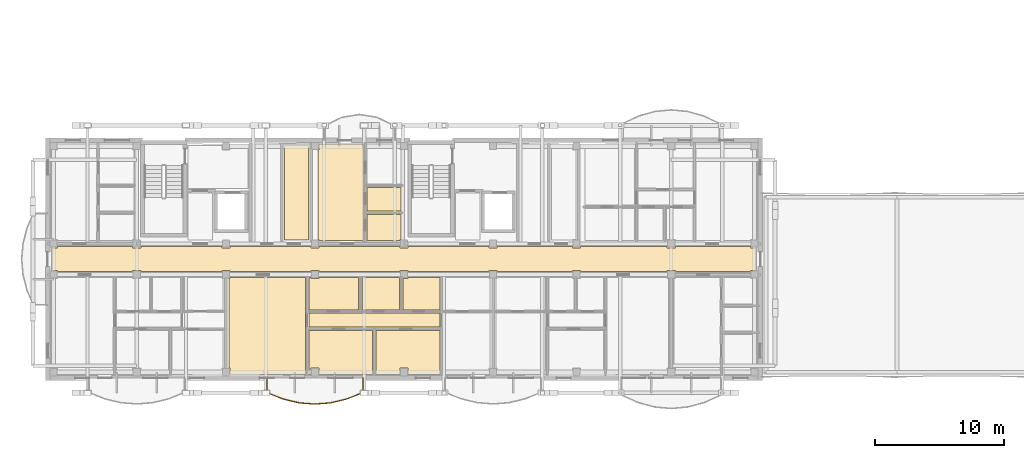
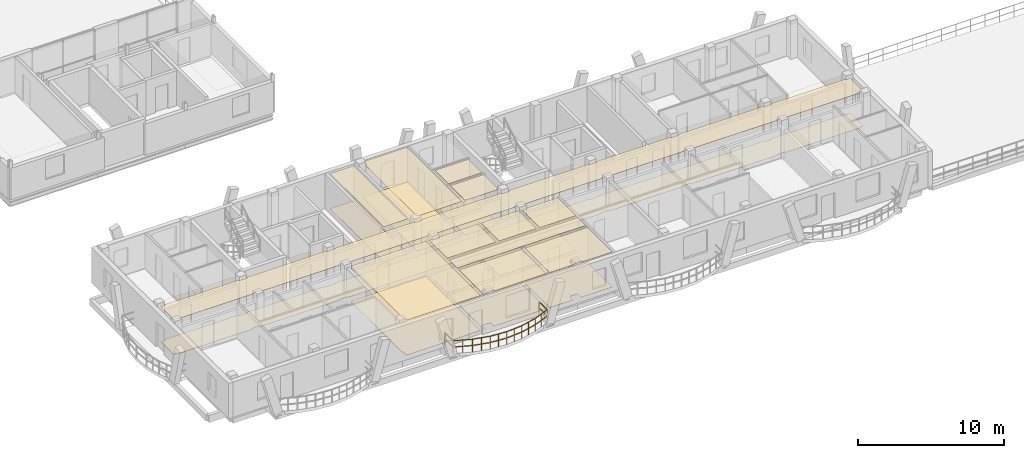
# One storey, part 88 of 109: 24 coverings, 1 railing.
"""IFC4 building model written with IfcOpenShell, lengths in metres."""

from ifc_helpers import new_model, si_unit, direction, frame, origin, origin_2d, place, context, subcontext, project, spatial, polyline, rectangle, outline, extrude, material, layer, layer_set, type_object, element, save


model = new_model("IFC4")

# Units and contexts
model_context = context("Model", 3, precision=1e-05, world=origin(), true_north=direction((0.0, 1.0)))
body_context = subcontext(model_context, "Body", "Model", "MODEL_VIEW")
ifc_project = project(units=[si_unit("LENGTHUNIT", "METRE"), si_unit("AREAUNIT", "SQUARE_METRE"), si_unit("VOLUMEUNIT", "CUBIC_METRE"), si_unit("PLANEANGLEUNIT", "RADIAN"), si_unit("MASSUNIT", "GRAM", prefix="KILO")], contexts=[model_context])

# Site, building, storey
site_placement = place(None, origin())
site = spatial("IfcSite", under=ifc_project, at=site_placement, CompositionType="ELEMENT")
building_placement = place(site_placement, origin())
building = spatial("IfcBuilding", under=site, at=building_placement, Name="Zavelmont Quarter", CompositionType="ELEMENT")
storey_placement = place(building_placement, frame((0.0, 0.0, 8.0)))
storey = spatial("IfcBuildingStorey", under=building, at=storey_placement, Name="L02", CompositionType="ELEMENT", Elevation=8.0)

# Coverings
ifc_material_1 = material(Name="Perforated acoustic gypsum board")
ifc_layer_1 = layer(ifc_material_1, 0.02490234375)
ifc_layer_set_1 = layer_set([ifc_layer_1], Name="Perforated acoustic gypsum board")
covering_type_1 = type_object("IfcCoveringType", Name="CV-CL01", PredefinedType="CEILING", material=ifc_layer_set_1)
covering_1_placement = place(storey_placement, frame((0.0, 0.0, 2.9150390625)))
element("IfcCovering", 1, at=covering_1_placement, inside=storey, type_object=covering_type_1, Name="L02 Cleaners Store acoustic ceiling", PredefinedType="CEILING", context=body_context, shape_type="SweptSolid", body=[
    extrude(outline(polyline([(18.330078125, 18.02001953125), (20.219970703125, 18.02001953125), (20.219970703125, 10.679931640625), (18.330078125, 10.679931640625), (18.330078125, 18.02001953125)])), origin(), (0.0, 0.0, 1.0), 0.02490234375),
])
covering_2_placement = place(storey_placement, frame((0.0, 0.0, 2.9150390625)))
element("IfcCovering", 2, at=covering_2_placement, inside=storey, type_object=covering_type_1, Name="L02 Residential Corridor acoustic ceiling", PredefinedType="CEILING", context=body_context, shape_type="SweptSolid", body=[
    extrude(outline(polyline([(0.3798828125, 10.0849609375), (0.7548828125, 10.0849609375), (0.7548828125, 10.169921875), (6.5849609375, 10.169921875), (6.5849609375, 10.0849609375), (7.215087890625, 10.0849609375), (7.215087890625, 10.169921875), (13.485107421875, 10.169921875), (13.485107421875, 10.0849609375), (14.114990234375, 10.0849609375), (14.114990234375, 10.169921875), (20.385009765625, 10.169921875), (20.385009765625, 10.0849609375), (21.014892578125, 10.0849609375), (21.014892578125, 10.169921875), (27.284912109375, 10.169921875), (27.284912109375, 10.0849609375), (27.9150390625, 10.0849609375), (27.9150390625, 10.169921875), (34.18505859375, 10.169921875), (34.18505859375, 10.0849609375), (34.81494140625, 10.0849609375), (34.81494140625, 10.169921875), (40.64501953125, 10.169921875), (40.64501953125, 10.0849609375), (41.27490234375, 10.0849609375), (41.27490234375, 10.169921875), (47.985107421875, 10.169921875), (47.985107421875, 10.0849609375), (48.614990234375, 10.0849609375), (48.614990234375, 10.169921875), (54.445068359375, 10.169921875), (54.445068359375, 10.0849609375), (54.820068359375, 10.0849609375), (54.820068359375, 8.31494140625), (54.445068359375, 8.31494140625), (54.445068359375, 8.22998046875), (48.614990234375, 8.22998046875), (48.614990234375, 8.31494140625), (47.985107421875, 8.31494140625), (47.985107421875, 8.22998046875), (41.27490234375, 8.22998046875), (41.27490234375, 8.31494140625), (40.64501953125, 8.31494140625), (40.64501953125, 8.22998046875), (34.81494140625, 8.22998046875), (34.81494140625, 8.31494140625), (34.18505859375, 8.31494140625), (34.18505859375, 8.22998046875), (27.9150390625, 8.22998046875), (27.9150390625, 8.31494140625), (27.284912109375, 8.31494140625), (27.284912109375, 8.22998046875), (21.014892578125, 8.22998046875), (21.014892578125, 8.31494140625), (20.385009765625, 8.31494140625), (20.385009765625, 8.22998046875), (14.114990234375, 8.22998046875), (14.114990234375, 8.31494140625), (13.485107421875, 8.31494140625), (13.485107421875, 8.22998046875), (7.215087890625, 8.22998046875), (7.215087890625, 8.31494140625), (6.5849609375, 8.31494140625), (6.5849609375, 8.22998046875), (0.7548828125, 8.22998046875), (0.7548828125, 8.31494140625), (0.3798828125, 8.31494140625), (0.3798828125, 10.0849609375)])), origin(), (0.0, 0.0, 1.0), 0.02490234375),
])
covering_3_placement = place(storey_placement, frame((0.0, 0.0, 2.9150390625)))
element("IfcCovering", 3, at=covering_3_placement, inside=storey, type_object=covering_type_1, Name="L02 Living Dining acoustic ceiling", PredefinedType="CEILING", context=body_context, shape_type="SweptSolid", body=[
    extrude(outline(polyline([(14.030029296875, 7.68505859375), (14.114990234375, 7.68505859375), (14.114990234375, 7.77001953125), (19.969970703125, 7.77001953125), (19.969970703125, 0.280029296875), (14.114990234375, 0.280029296875), (14.114990234375, 0.7548828125), (14.030029296875, 0.7548828125), (14.030029296875, 7.68505859375)])), origin(), (0.0, 0.0, 1.0), 0.02490234375),
])
covering_4_placement = place(storey_placement, frame((0.0, 0.0, 2.9150390625)))
element("IfcCovering", 4, at=covering_4_placement, inside=storey, type_object=covering_type_1, Name="L02 Kitchen acoustic ceiling", PredefinedType="CEILING", context=body_context, shape_type="SweptSolid", body=[
    extrude(outline(polyline([(20.22998046875, 7.77001953125), (20.385009765625, 7.77001953125), (20.385009765625, 7.68505859375), (21.014892578125, 7.68505859375), (21.014892578125, 7.77001953125), (24.070068359375, 7.77001953125), (24.070068359375, 5.280029296875), (20.22998046875, 5.280029296875), (20.22998046875, 7.77001953125)])), origin(), (0.0, 0.0, 1.0), 0.02490234375),
])
covering_5_placement = place(storey_placement, frame((0.0, 0.0, 2.9150390625)))
element("IfcCovering", 5, at=covering_5_placement, inside=storey, type_object=covering_type_1, Name="L02 Utility Laundry acoustic ceiling", PredefinedType="CEILING", context=body_context, shape_type="SweptSolid", body=[
    extrude(outline(polyline([(27.530029296875, 7.68505859375), (27.9150390625, 7.68505859375), (27.9150390625, 7.77001953125), (30.3701171875, 7.77001953125), (30.3701171875, 5.280029296875), (27.530029296875, 5.280029296875), (27.530029296875, 7.68505859375)])), origin(), (0.0, 0.0, 1.0), 0.02490234375),
])
covering_6_placement = place(storey_placement, frame((0.0, 0.0, 2.9150390625)))
element("IfcCovering", 6, at=covering_6_placement, inside=storey, type_object=covering_type_1, Name="L02 Single Bedroom acoustic ceiling", PredefinedType="CEILING", context=body_context, shape_type="SweptSolid", body=[
    extrude(outline(polyline([(20.22998046875, 3.669921875), (25.169921875, 3.669921875), (25.169921875, 0.280029296875), (21.014892578125, 0.280029296875), (21.014892578125, 0.7548828125), (20.385009765625, 0.7548828125), (20.385009765625, 0.280029296875), (20.22998046875, 0.280029296875), (20.22998046875, 3.669921875)])), origin(), (0.0, 0.0, 1.0), 0.02490234375),
])
covering_7_placement = place(storey_placement, frame((0.0, 0.0, 2.9150390625)))
element("IfcCovering", 7, at=covering_7_placement, inside=storey, type_object=covering_type_1, Name="L02 Double Bedroom acoustic ceiling", PredefinedType="CEILING", context=body_context, shape_type="SweptSolid", body=[
    extrude(outline(polyline([(25.429931640625, 3.669921875), (30.3701171875, 3.669921875), (30.3701171875, 0.280029296875), (27.9150390625, 0.280029296875), (27.9150390625, 0.7548828125), (27.284912109375, 0.7548828125), (27.284912109375, 0.280029296875), (25.429931640625, 0.280029296875), (25.429931640625, 3.669921875)])), origin(), (0.0, 0.0, 1.0), 0.02490234375),
])
covering_8_placement = place(storey_placement, frame((0.0, 0.0, 2.9150390625)))
element("IfcCovering", 8, at=covering_8_placement, inside=storey, type_object=covering_type_1, Name="L02 Living Dining acoustic ceiling", PredefinedType="CEILING", context=body_context, shape_type="SweptSolid", body=[
    extrude(outline(polyline([(20.929931640625, 17.64501953125), (21.014892578125, 17.64501953125), (21.014892578125, 18.1201171875), (24.469970703125, 18.1201171875), (24.469970703125, 10.6298828125), (21.014892578125, 10.6298828125), (21.014892578125, 10.715087890625), (20.929931640625, 10.715087890625), (20.929931640625, 17.64501953125)])), origin(), (0.0, 0.0, 1.0), 0.02490234375),
])
covering_9_placement = place(storey_placement, frame((0.0, 0.0, 2.9150390625)))
element("IfcCovering", 9, at=covering_9_placement, inside=storey, type_object=covering_type_1, Name="L02 Kitchen acoustic ceiling", PredefinedType="CEILING", context=body_context, shape_type="SweptSolid", body=[
    extrude(outline(polyline([(24.72998046875, 12.669921875), (27.3701171875, 12.669921875), (27.3701171875, 10.715087890625), (27.284912109375, 10.715087890625), (27.284912109375, 10.6298828125), (24.72998046875, 10.6298828125), (24.72998046875, 12.669921875)])), origin(), (0.0, 0.0, 1.0), 0.02490234375),
])
ifc_material_2 = material(Name="Slatted European ash acoustic baffle ceiling")
ifc_layer_2 = layer(ifc_material_2, 0.0400390625)
ifc_layer_set_2 = layer_set([ifc_layer_2], Name="Slatted European ash acoustic baffle ceiling")
covering_type_2 = type_object("IfcCoveringType", Name="CV-CL02", PredefinedType="CEILING", material=ifc_layer_set_2)
covering_10_placement = place(storey_placement, frame((0.0, 0.0, 2.89990234375)))
element("IfcCovering", 10, at=covering_10_placement, inside=storey, type_object=covering_type_2, Name="L02 Apartment Hall acoustic ceiling", PredefinedType="CEILING", context=body_context, shape_type="SweptSolid", body=[
    extrude(outline(polyline([(20.22998046875, 5.02001953125), (30.3701171875, 5.02001953125), (30.3701171875, 3.929931640625), (20.22998046875, 3.929931640625), (20.22998046875, 5.02001953125)])), origin(), (0.0, 0.0, 1.0), 0.0400390625),
])
ifc_material_3 = material(Name="Moisture-resistant painted gypsum ceiling")
ifc_layer_3 = layer(ifc_material_3, 0.02001953125)
ifc_layer_set_3 = layer_set([ifc_layer_3], Name="Moisture-resistant painted gypsum ceiling")
covering_type_3 = type_object("IfcCoveringType", Name="CV-CL04", PredefinedType="CEILING", material=ifc_layer_set_3)
covering_11_placement = place(storey_placement, frame((0.0, 0.0, 2.919921875)))
element("IfcCovering", 11, at=covering_11_placement, inside=storey, type_object=covering_type_3, Name="L02 Bathroom acoustic ceiling", PredefinedType="CEILING", context=body_context, shape_type="SweptSolid", body=[
    extrude(outline(polyline([(24.330078125, 7.77001953125), (27.27001953125, 7.77001953125), (27.27001953125, 5.280029296875), (24.330078125, 5.280029296875), (24.330078125, 7.77001953125)])), origin(), (0.0, 0.0, 1.0), 0.02001953125),
])
covering_12_placement = place(storey_placement, frame((0.0, 0.0, 2.919921875)))
element("IfcCovering", 12, at=covering_12_placement, inside=storey, type_object=covering_type_3, Name="L02 Bathroom acoustic ceiling", PredefinedType="CEILING", context=body_context, shape_type="SweptSolid", body=[
    extrude(outline(polyline([(24.72998046875, 14.77001953125), (27.3701171875, 14.77001953125), (27.3701171875, 12.929931640625), (24.72998046875, 12.929931640625), (24.72998046875, 14.77001953125)])), origin(), (0.0, 0.0, 1.0), 0.02001953125),
])
ifc_material_4 = material(Name="Engineered European oak parquet")
ifc_layer_4 = layer(ifc_material_4, 0.02197265625)
ifc_layer_set_4 = layer_set([ifc_layer_4], Name="Engineered European oak parquet")
covering_type_4 = type_object("IfcCoveringType", Name="CV-FL01", PredefinedType="FLOORING", material=ifc_layer_set_4)
covering_13_placement = place(storey_placement, origin())
element("IfcCovering", 13, at=covering_13_placement, inside=storey, type_object=covering_type_4, Name="L02 Cleaners Store floor finish", PredefinedType="FLOORING", context=body_context, shape_type="SweptSolid", body=[
    extrude(outline(polyline([(18.330078125, 18.02001953125), (20.219970703125, 18.02001953125), (20.219970703125, 10.679931640625), (18.330078125, 10.679931640625), (18.330078125, 18.02001953125)])), origin(), (0.0, 0.0, 1.0), 0.02197265625),
])
covering_14_placement = place(storey_placement, origin())
element("IfcCovering", 14, at=covering_14_placement, inside=storey, type_object=covering_type_4, Name="L02 Residential Corridor floor finish", PredefinedType="FLOORING", context=body_context, shape_type="SweptSolid", body=[
    extrude(outline(polyline([(0.3798828125, 10.0849609375), (0.7548828125, 10.0849609375), (0.7548828125, 10.169921875), (6.5849609375, 10.169921875), (6.5849609375, 10.0849609375), (7.215087890625, 10.0849609375), (7.215087890625, 10.169921875), (13.485107421875, 10.169921875), (13.485107421875, 10.0849609375), (14.114990234375, 10.0849609375), (14.114990234375, 10.169921875), (20.385009765625, 10.169921875), (20.385009765625, 10.0849609375), (21.014892578125, 10.0849609375), (21.014892578125, 10.169921875), (27.284912109375, 10.169921875), (27.284912109375, 10.0849609375), (27.9150390625, 10.0849609375), (27.9150390625, 10.169921875), (34.18505859375, 10.169921875), (34.18505859375, 10.0849609375), (34.81494140625, 10.0849609375), (34.81494140625, 10.169921875), (40.64501953125, 10.169921875), (40.64501953125, 10.0849609375), (41.27490234375, 10.0849609375), (41.27490234375, 10.169921875), (47.985107421875, 10.169921875), (47.985107421875, 10.0849609375), (48.614990234375, 10.0849609375), (48.614990234375, 10.169921875), (54.445068359375, 10.169921875), (54.445068359375, 10.0849609375), (54.820068359375, 10.0849609375), (54.820068359375, 8.31494140625), (54.445068359375, 8.31494140625), (54.445068359375, 8.22998046875), (48.614990234375, 8.22998046875), (48.614990234375, 8.31494140625), (47.985107421875, 8.31494140625), (47.985107421875, 8.22998046875), (41.27490234375, 8.22998046875), (41.27490234375, 8.31494140625), (40.64501953125, 8.31494140625), (40.64501953125, 8.22998046875), (34.81494140625, 8.22998046875), (34.81494140625, 8.31494140625), (34.18505859375, 8.31494140625), (34.18505859375, 8.22998046875), (27.9150390625, 8.22998046875), (27.9150390625, 8.31494140625), (27.284912109375, 8.31494140625), (27.284912109375, 8.22998046875), (21.014892578125, 8.22998046875), (21.014892578125, 8.31494140625), (20.385009765625, 8.31494140625), (20.385009765625, 8.22998046875), (14.114990234375, 8.22998046875), (14.114990234375, 8.31494140625), (13.485107421875, 8.31494140625), (13.485107421875, 8.22998046875), (7.215087890625, 8.22998046875), (7.215087890625, 8.31494140625), (6.5849609375, 8.31494140625), (6.5849609375, 8.22998046875), (0.7548828125, 8.22998046875), (0.7548828125, 8.31494140625), (0.3798828125, 8.31494140625), (0.3798828125, 10.0849609375)])), origin(), (0.0, 0.0, 1.0), 0.02197265625),
])
covering_15_placement = place(storey_placement, origin())
element("IfcCovering", 15, at=covering_15_placement, inside=storey, type_object=covering_type_4, Name="L02 Living Dining floor finish", PredefinedType="FLOORING", context=body_context, shape_type="SweptSolid", body=[
    extrude(outline(polyline([(14.030029296875, 7.68505859375), (14.114990234375, 7.68505859375), (14.114990234375, 7.77001953125), (19.969970703125, 7.77001953125), (19.969970703125, 0.280029296875), (14.114990234375, 0.280029296875), (14.114990234375, 0.7548828125), (14.030029296875, 0.7548828125), (14.030029296875, 7.68505859375)])), origin(), (0.0, 0.0, 1.0), 0.02197265625),
])
covering_16_placement = place(storey_placement, origin())
element("IfcCovering", 16, at=covering_16_placement, inside=storey, type_object=covering_type_4, Name="L02 Kitchen floor finish", PredefinedType="FLOORING", context=body_context, shape_type="SweptSolid", body=[
    extrude(outline(polyline([(20.22998046875, 7.77001953125), (20.385009765625, 7.77001953125), (20.385009765625, 7.68505859375), (21.014892578125, 7.68505859375), (21.014892578125, 7.77001953125), (24.070068359375, 7.77001953125), (24.070068359375, 5.280029296875), (20.22998046875, 5.280029296875), (20.22998046875, 7.77001953125)])), origin(), (0.0, 0.0, 1.0), 0.02197265625),
])
covering_17_placement = place(storey_placement, origin())
element("IfcCovering", 17, at=covering_17_placement, inside=storey, type_object=covering_type_4, Name="L02 Utility Laundry floor finish", PredefinedType="FLOORING", context=body_context, shape_type="SweptSolid", body=[
    extrude(outline(polyline([(27.530029296875, 7.68505859375), (27.9150390625, 7.68505859375), (27.9150390625, 7.77001953125), (30.3701171875, 7.77001953125), (30.3701171875, 5.280029296875), (27.530029296875, 5.280029296875), (27.530029296875, 7.68505859375)])), origin(), (0.0, 0.0, 1.0), 0.02197265625),
])
covering_18_placement = place(storey_placement, origin())
element("IfcCovering", 18, at=covering_18_placement, inside=storey, type_object=covering_type_4, Name="L02 Single Bedroom floor finish", PredefinedType="FLOORING", context=body_context, shape_type="SweptSolid", body=[
    extrude(outline(polyline([(20.22998046875, 3.669921875), (25.169921875, 3.669921875), (25.169921875, 0.280029296875), (21.014892578125, 0.280029296875), (21.014892578125, 0.7548828125), (20.385009765625, 0.7548828125), (20.385009765625, 0.280029296875), (20.22998046875, 0.280029296875), (20.22998046875, 3.669921875)])), origin(), (0.0, 0.0, 1.0), 0.02197265625),
])
covering_19_placement = place(storey_placement, origin())
element("IfcCovering", 19, at=covering_19_placement, inside=storey, type_object=covering_type_4, Name="L02 Double Bedroom floor finish", PredefinedType="FLOORING", context=body_context, shape_type="SweptSolid", body=[
    extrude(outline(polyline([(25.429931640625, 3.669921875), (30.3701171875, 3.669921875), (30.3701171875, 0.280029296875), (27.9150390625, 0.280029296875), (27.9150390625, 0.7548828125), (27.284912109375, 0.7548828125), (27.284912109375, 0.280029296875), (25.429931640625, 0.280029296875), (25.429931640625, 3.669921875)])), origin(), (0.0, 0.0, 1.0), 0.02197265625),
])
covering_20_placement = place(storey_placement, origin())
element("IfcCovering", 20, at=covering_20_placement, inside=storey, type_object=covering_type_4, Name="L02 Living Dining floor finish", PredefinedType="FLOORING", context=body_context, shape_type="SweptSolid", body=[
    extrude(outline(polyline([(20.929931640625, 17.64501953125), (21.014892578125, 17.64501953125), (21.014892578125, 18.1201171875), (24.469970703125, 18.1201171875), (24.469970703125, 10.6298828125), (21.014892578125, 10.6298828125), (21.014892578125, 10.715087890625), (20.929931640625, 10.715087890625), (20.929931640625, 17.64501953125)])), origin(), (0.0, 0.0, 1.0), 0.02197265625),
])
covering_21_placement = place(storey_placement, origin())
element("IfcCovering", 21, at=covering_21_placement, inside=storey, type_object=covering_type_4, Name="L02 Kitchen floor finish", PredefinedType="FLOORING", context=body_context, shape_type="SweptSolid", body=[
    extrude(outline(polyline([(24.72998046875, 12.669921875), (27.3701171875, 12.669921875), (27.3701171875, 10.715087890625), (27.284912109375, 10.715087890625), (27.284912109375, 10.6298828125), (24.72998046875, 10.6298828125), (24.72998046875, 12.669921875)])), origin(), (0.0, 0.0, 1.0), 0.02197265625),
])
ifc_material_5 = material(Name="Honed Belgian bluestone tile", Category="masonry")
ifc_layer_5 = layer(ifc_material_5, 0.030029296875)
ifc_layer_set_5 = layer_set([ifc_layer_5], Name="Honed Belgian bluestone tile")
covering_type_5 = type_object("IfcCoveringType", Name="CV-FL02", PredefinedType="FLOORING", material=ifc_layer_set_5)
covering_22_placement = place(storey_placement, origin())
element("IfcCovering", 22, at=covering_22_placement, inside=storey, type_object=covering_type_5, Name="L02 Apartment Hall floor finish", PredefinedType="FLOORING", context=body_context, shape_type="SweptSolid", body=[
    extrude(outline(polyline([(20.22998046875, 5.02001953125), (30.3701171875, 5.02001953125), (30.3701171875, 3.929931640625), (20.22998046875, 3.929931640625), (20.22998046875, 5.02001953125)])), origin(), (0.0, 0.0, 1.0), 0.030029296875),
])
ifc_material_6 = material(Name="Slip-resistant porcelain tile")
ifc_layer_6 = layer(ifc_material_6, 0.02587890625)
ifc_layer_set_6 = layer_set([ifc_layer_6], Name="Slip-resistant porcelain tile")
covering_type_6 = type_object("IfcCoveringType", Name="CV-FL04", PredefinedType="FLOORING", material=ifc_layer_set_6)
covering_23_placement = place(storey_placement, origin())
element("IfcCovering", 23, at=covering_23_placement, inside=storey, type_object=covering_type_6, Name="L02 Bathroom floor finish", PredefinedType="FLOORING", context=body_context, shape_type="SweptSolid", body=[
    extrude(outline(polyline([(24.330078125, 7.77001953125), (27.27001953125, 7.77001953125), (27.27001953125, 5.280029296875), (24.330078125, 5.280029296875), (24.330078125, 7.77001953125)])), origin(), (0.0, 0.0, 1.0), 0.02587890625),
])
covering_24_placement = place(storey_placement, origin())
element("IfcCovering", 24, at=covering_24_placement, inside=storey, type_object=covering_type_6, Name="L02 Bathroom floor finish", PredefinedType="FLOORING", context=body_context, shape_type="SweptSolid", body=[
    extrude(outline(polyline([(24.72998046875, 14.77001953125), (27.3701171875, 14.77001953125), (27.3701171875, 12.929931640625), (24.72998046875, 12.929931640625), (24.72998046875, 14.77001953125)])), origin(), (0.0, 0.0, 1.0), 0.02587890625),
])

# Railing
ifc_material_7 = material(Name="Powder-coated steel and tempered double safety glass", Category="steel")
railing_type = type_object("IfcRailingType", Name="RL-BAL1", PredefinedType="BALUSTRADE", material=ifc_material_7)
railing_placement = place(storey_placement, frame((16.98583984375, -0.02001953125, 0.0)))
element("IfcRailing", 25, at=railing_placement, inside=storey, type_object=railing_type, Name="L02 Block A curved balcony guard RL-BAL1", PredefinedType="BALUSTRADE", context=body_context, shape_type="SweptSolid", body=[
    extrude(rectangle(XDim=0.048095703125, YDim=0.048095703125, at=origin_2d()), frame((0.0, 0.0, 1.076171875), z_axis=(0.0, -1.0, 0.0), x_axis=(1.0, 0.0, 0.0)), (0.0, 0.0, 1.0), 1.1162109375),
    extrude(rectangle(XDim=0.048095703125, YDim=0.048095703125, at=origin_2d()), frame((0.0, 0.0, 0.550048828125), z_axis=(0.0, -1.0, 0.0), x_axis=(1.0, 0.0, 0.0)), (0.0, 0.0, 1.0), 1.1162109375),
    extrude(rectangle(XDim=0.048095703125, YDim=0.048095703125, at=origin_2d()), frame((0.0, -1.1162109375, 1.076171875), z_axis=(0.928312474774, -0.37180095371, 0.0), x_axis=(0.37180095371, 0.928312474774, 0.0)), (0.0, 0.0, 1.0), 1.333740234375),
    extrude(rectangle(XDim=0.048095703125, YDim=0.048095703125, at=origin_2d()), frame((0.0, -1.1162109375, 0.550048828125), z_axis=(0.928312474774, -0.37180095371, 0.0), x_axis=(0.37180095371, 0.928312474774, 0.0)), (0.0, 0.0, 1.0), 1.333740234375),
    extrude(rectangle(XDim=0.048095703125, YDim=0.048095703125, at=origin_2d()), frame((1.238037109375, -1.612060546875, 1.076171875), z_axis=(0.972301955832, -0.233728275322, 0.0), x_axis=(0.233728275322, 0.972301955832, 0.0)), (0.0, 0.0, 1.0), 1.273193359375),
    extrude(rectangle(XDim=0.048095703125, YDim=0.048095703125, at=origin_2d()), frame((1.238037109375, -1.612060546875, 0.550048828125), z_axis=(0.972301955832, -0.233728275322, 0.0), x_axis=(0.233728275322, 0.972301955832, 0.0)), (0.0, 0.0, 1.0), 1.273193359375),
    extrude(rectangle(XDim=0.048095703125, YDim=0.048095703125, at=origin_2d()), frame((2.47607421875, -1.90966796875, 1.076171875), z_axis=(0.996794619653, -0.080003038888, 0.0), x_axis=(0.080003038888, 0.996794619653, 0.0)), (0.0, 0.0, 1.0), 1.241943359375),
    extrude(rectangle(XDim=0.048095703125, YDim=0.048095703125, at=origin_2d()), frame((2.47607421875, -1.90966796875, 0.550048828125), z_axis=(0.996794619653, -0.080003038888, 0.0), x_axis=(0.080003038888, 0.996794619653, 0.0)), (0.0, 0.0, 1.0), 1.241943359375),
    extrude(rectangle(XDim=0.048095703125, YDim=0.048095703125, at=origin_2d()), frame((3.714111328125, -2.009033203125, 1.076171875), z_axis=(0.996794619653, 0.080003038888, 0.0), x_axis=(-0.080003038888, 0.996794619653, 0.0)), (0.0, 0.0, 1.0), 1.241943359375),
    extrude(rectangle(XDim=0.048095703125, YDim=0.048095703125, at=origin_2d()), frame((3.714111328125, -2.009033203125, 0.550048828125), z_axis=(0.996794619653, 0.080003038888, 0.0), x_axis=(-0.080003038888, 0.996794619653, 0.0)), (0.0, 0.0, 1.0), 1.241943359375),
    extrude(rectangle(XDim=0.048095703125, YDim=0.048095703125, at=origin_2d()), frame((4.9521484375, -1.90966796875, 1.076171875), z_axis=(0.972301955832, 0.233728275322, 0.0), x_axis=(-0.233728275322, 0.972301955832, 0.0)), (0.0, 0.0, 1.0), 1.273193359375),
    extrude(rectangle(XDim=0.048095703125, YDim=0.048095703125, at=origin_2d()), frame((4.9521484375, -1.90966796875, 0.550048828125), z_axis=(0.972301955832, 0.233728275322, 0.0), x_axis=(-0.233728275322, 0.972301955832, 0.0)), (0.0, 0.0, 1.0), 1.273193359375),
    extrude(rectangle(XDim=0.048095703125, YDim=0.048095703125, at=origin_2d()), frame((6.190185546875, -1.612060546875, 1.076171875), z_axis=(0.928337774212, 0.371737779855, 0.0), x_axis=(-0.371737779855, 0.928337774212, 0.0)), (0.0, 0.0, 1.0), 1.333984375),
    extrude(rectangle(XDim=0.048095703125, YDim=0.048095703125, at=origin_2d()), frame((6.190185546875, -1.612060546875, 0.550048828125), z_axis=(0.928337774212, 0.371737779855, 0.0), x_axis=(-0.371737779855, 0.928337774212, 0.0)), (0.0, 0.0, 1.0), 1.333984375),
    extrude(rectangle(XDim=0.048095703125, YDim=0.048095703125, at=origin_2d()), frame((7.428466796875, -1.1162109375, 1.076171875), z_axis=(0.0, 1.0, 0.0), x_axis=(-1.0, 0.0, 0.0)), (0.0, 0.0, 1.0), 1.1162109375),
    extrude(rectangle(XDim=0.048095703125, YDim=0.048095703125, at=origin_2d()), frame((7.428466796875, -1.1162109375, 0.550048828125), z_axis=(0.0, 1.0, 0.0), x_axis=(-1.0, 0.0, 0.0)), (0.0, 0.0, 1.0), 1.1162109375),
    extrude(rectangle(XDim=0.0419921875, YDim=0.0419921875, at=origin_2d()), origin(), (0.0, 0.0, 1.0), 1.052001953125),
    extrude(rectangle(XDim=0.0419921875, YDim=0.0419921875, at=origin_2d()), frame((0.0, -1.1162109375, 0.0)), (0.0, 0.0, 1.0), 1.052001953125),
    extrude(rectangle(XDim=0.0419921875, YDim=0.0419921875, at=origin_2d()), frame((0.619140625, -1.3642578125, 0.0)), (0.0, 0.0, 1.0), 1.052001953125),
    extrude(rectangle(XDim=0.0419921875, YDim=0.0419921875, at=origin_2d()), frame((1.238037109375, -1.612060546875, 0.0)), (0.0, 0.0, 1.0), 1.052001953125),
    extrude(rectangle(XDim=0.0419921875, YDim=0.0419921875, at=origin_2d()), frame((1.85693359375, -1.7607421875, 0.0)), (0.0, 0.0, 1.0), 1.052001953125),
    extrude(rectangle(XDim=0.0419921875, YDim=0.0419921875, at=origin_2d()), frame((2.47607421875, -1.90966796875, 0.0)), (0.0, 0.0, 1.0), 1.052001953125),
    extrude(rectangle(XDim=0.0419921875, YDim=0.0419921875, at=origin_2d()), frame((3.09521484375, -1.95947265625, 0.0)), (0.0, 0.0, 1.0), 1.052001953125),
    extrude(rectangle(XDim=0.0419921875, YDim=0.0419921875, at=origin_2d()), frame((3.714111328125, -2.009033203125, 0.0)), (0.0, 0.0, 1.0), 1.052001953125),
    extrude(rectangle(XDim=0.0419921875, YDim=0.0419921875, at=origin_2d()), frame((4.3330078125, -1.95947265625, 0.0)), (0.0, 0.0, 1.0), 1.052001953125),
    extrude(rectangle(XDim=0.0419921875, YDim=0.0419921875, at=origin_2d()), frame((4.9521484375, -1.90966796875, 0.0)), (0.0, 0.0, 1.0), 1.052001953125),
    extrude(rectangle(XDim=0.0419921875, YDim=0.0419921875, at=origin_2d()), frame((5.5712890625, -1.7607421875, 0.0)), (0.0, 0.0, 1.0), 1.052001953125),
    extrude(rectangle(XDim=0.0419921875, YDim=0.0419921875, at=origin_2d()), frame((6.190185546875, -1.612060546875, 0.0)), (0.0, 0.0, 1.0), 1.052001953125),
    extrude(rectangle(XDim=0.0419921875, YDim=0.0419921875, at=origin_2d()), frame((6.809326171875, -1.3642578125, 0.0)), (0.0, 0.0, 1.0), 1.052001953125),
    extrude(rectangle(XDim=0.0419921875, YDim=0.0419921875, at=origin_2d()), frame((7.428466796875, -1.1162109375, 0.0)), (0.0, 0.0, 1.0), 1.052001953125),
    extrude(rectangle(XDim=0.0419921875, YDim=0.0419921875, at=origin_2d()), frame((7.428466796875, 0.0, 0.0)), (0.0, 0.0, 1.0), 1.052001953125),
])

save(model, "model.ifc")
